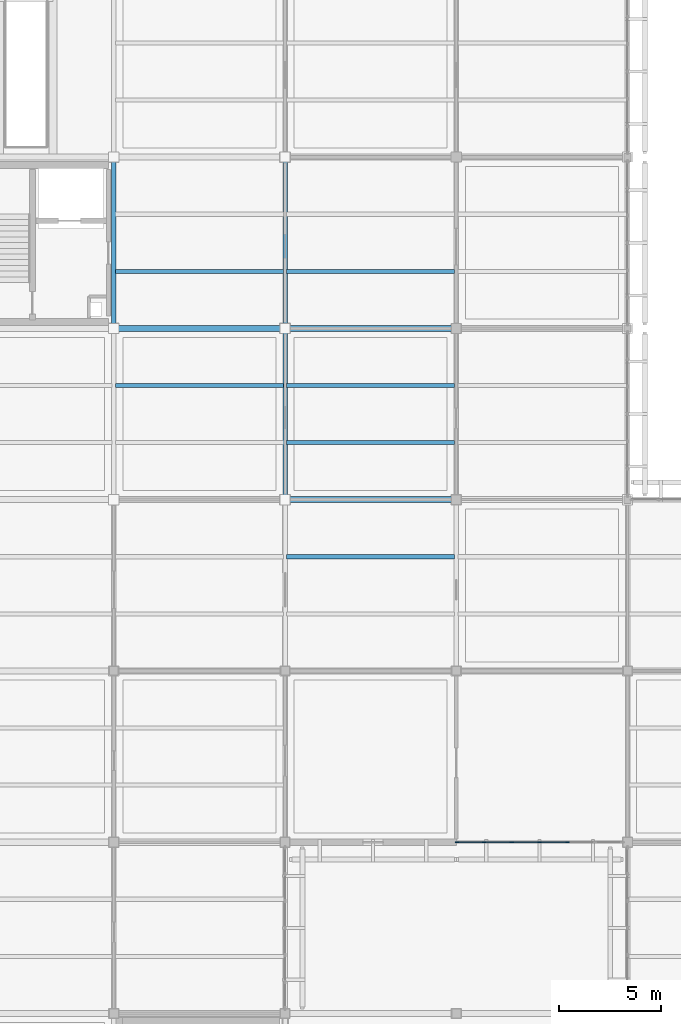
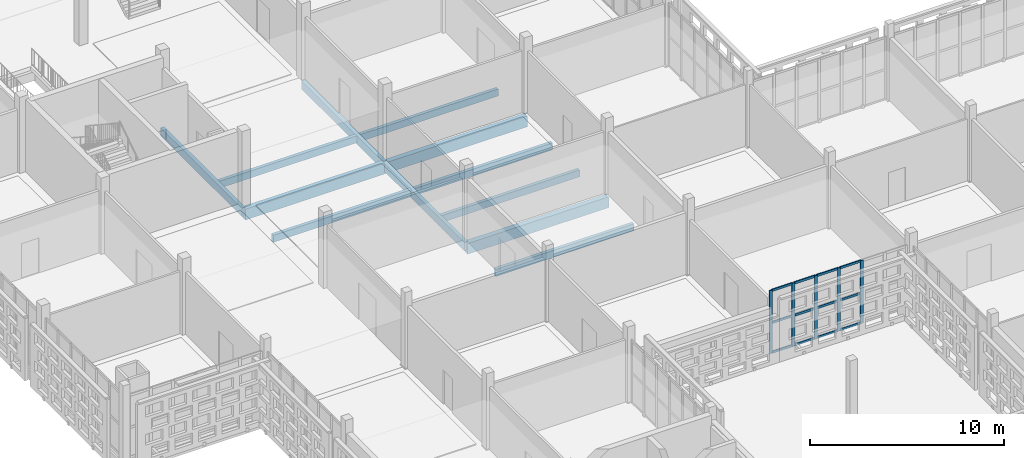
# One storey, part 25 of 203: 17 members, 12 beams, 1 element without a shape of its own.
"""IFC4 building model written with IfcOpenShell, lengths in metres."""

from ifc_helpers import new_model, si_unit, direction, frame, origin, origin_2d, place, context, subcontext, project, spatial, rectangle, extrude, material, layer, layer_set, material_profile, profile_set, type_object, element, aggregate, save


model = new_model("IFC4")

# Units and contexts
model_context = context("Model", 3, precision=1e-05, world=origin(), true_north=direction((0.0, 1.0)))
body_context = subcontext(model_context, "Body", "Model", "MODEL_VIEW")
ifc_project = project(units=[si_unit("LENGTHUNIT", "METRE"), si_unit("AREAUNIT", "SQUARE_METRE"), si_unit("VOLUMEUNIT", "CUBIC_METRE"), si_unit("PLANEANGLEUNIT", "RADIAN"), si_unit("MASSUNIT", "GRAM", prefix="KILO")], contexts=[model_context])

# Site, building, storey
site_placement = place(None, origin())
site = spatial("IfcSite", under=ifc_project, at=site_placement, CompositionType="ELEMENT")
building_placement = place(site_placement, origin())
building = spatial("IfcBuilding", under=site, at=building_placement, Name="Varnapada Polytechnic", CompositionType="ELEMENT")
storey_placement = place(building_placement, frame((0.0, 0.0, 4.800048828125)))
storey = spatial("IfcBuildingStorey", under=building, at=storey_placement, Name="L01", CompositionType="ELEMENT", Elevation=4.800048828125)

# Beams
ifc_material_1 = material(Name="Glulam GL32h", Category="wood")
ifc_material_profile_1 = material_profile(ifc_material_1, rectangle(XDim=0.199951171875, YDim=0.43994140625, at=origin_2d()), Name="GL 200x440")
ifc_profile_set_1 = profile_set([ifc_material_profile_1], Name="Glulam GL32h")
beam_type_1 = type_object("IfcBeamType", Name="Heavy laboratory glulam joist GJ-03 (GL 200x440)", PredefinedType="JOIST", material=ifc_profile_set_1)
for number, where, z_axis, x_axis, name in (
    (1, (16.8798828125, 56.0, -0.469970703125), (1.0, 0.0, 0.0), (0.0, 1.0, 0.0), "L01 floor joist 3/7.2"),
    (2, (16.8798828125, 61.60009765625, -0.469970703125), (1.0, 0.0, 0.0), (0.0, 1.0, 0.0), "L01 floor joist 3/8.1"),
):
    element("IfcBeam", number, at=place(storey_placement, frame(where, z_axis=z_axis, x_axis=x_axis)), inside=storey, type_object=beam_type_1, Name=name, PredefinedType="JOIST", context=body_context, shape_type="SweptSolid", body=[
        extrude(rectangle(XDim=0.199951171875, YDim=0.43994140625, at=origin_2d()), origin(), (0.0, 0.0, 1.0), 8.240234375),
    ])
for number, where, z_axis, x_axis, name in (
    (3, (25.280029296875, 47.60009765625, -0.469970703125), (1.0, 0.0, 0.0), (0.0, 1.0, 0.0), "L01 floor joist 4/6.2"),
    (4, (25.280029296875, 53.199951171875, -0.469970703125), (1.0, 0.0, 0.0), (0.0, 1.0, 0.0), "L01 floor joist 4/7.1"),
    (5, (25.280029296875, 56.0, -0.469970703125), (1.0, 0.0, 0.0), (0.0, 1.0, 0.0), "L01 floor joist 4/7.2"),
    (6, (25.280029296875, 61.60009765625, -0.469970703125), (1.0, 0.0, 0.0), (0.0, 1.0, 0.0), "L01 floor joist 4/8.1"),
):
    element("IfcBeam", number, at=place(storey_placement, frame(where, z_axis=z_axis, x_axis=x_axis)), inside=storey, type_object=beam_type_1, Name=name, PredefinedType="JOIST", context=body_context, shape_type="SweptSolid", body=[
        extrude(rectangle(XDim=0.199951171875, YDim=0.43994140625, at=origin_2d()), origin(), (0.0, 0.0, 1.0), 8.239990234375),
    ])
ifc_material_profile_2 = material_profile(ifc_material_1, rectangle(XDim=0.219970703125, YDim=0.52001953125, at=origin_2d()), Name="GL 220x520")
ifc_profile_set_2 = profile_set([ifc_material_profile_2], Name="Glulam GL32h")
beam_type_2 = type_object("IfcBeamType", Name="Laboratory transverse glulam beam GB-12 (GL 220x520)", PredefinedType="BEAM", material=ifc_profile_set_2)
beam_1_placement = place(storey_placement, frame((16.800048828125, 58.800048828125, -0.510009765625), z_axis=(0.0, 1.0, 0.0), x_axis=(-1.0, 0.0, 0.0)))
element("IfcBeam", 7, at=beam_1_placement, inside=storey, type_object=beam_type_2, Name="L01 beam Y 8-9 at X3", PredefinedType="BEAM", context=body_context, shape_type="SweptSolid", body=[
    extrude(rectangle(XDim=0.219970703125, YDim=0.52001953125, at=origin_2d()), origin(), (0.0, 0.0, 1.0), 8.39990234375),
])
beam_2_placement = place(storey_placement, frame((25.199951171875, 50.39990234375, -0.510009765625), z_axis=(0.0, 1.0, 0.0), x_axis=(-1.0, 0.0, 0.0)))
element("IfcBeam", 8, at=beam_2_placement, inside=storey, type_object=beam_type_2, Name="L01 beam Y 7-8 at X4", PredefinedType="BEAM", context=body_context, shape_type="SweptSolid", body=[
    extrude(rectangle(XDim=0.219970703125, YDim=0.52001953125, at=origin_2d()), origin(), (0.0, 0.0, 1.0), 8.400146484375),
])
beam_3_placement = place(storey_placement, frame((25.199951171875, 58.800048828125, -0.510009765625), z_axis=(0.0, 1.0, 0.0), x_axis=(-1.0, 0.0, 0.0)))
element("IfcBeam", 9, at=beam_3_placement, inside=storey, type_object=beam_type_2, Name="L01 beam Y 8-9 at X4", PredefinedType="BEAM", context=body_context, shape_type="SweptSolid", body=[
    extrude(rectangle(XDim=0.219970703125, YDim=0.52001953125, at=origin_2d()), origin(), (0.0, 0.0, 1.0), 8.39990234375),
])

# Curtain wall, members
ifc_material_2 = material(Name="Double low-E laminated glass", Category="glass")
ifc_layer = layer(ifc_material_2, 0.179931640625)
ifc_layer_set = layer_set([ifc_layer], Name="Double low-E laminated glass")
curtain_wall_type = type_object("IfcCurtainWallType", Name="Curtain Wall CW-03", PredefinedType="NOTDEFINED", material=ifc_layer_set)
curtain_wall_placement = place(storey_placement, origin())
curtain_wall = element("IfcCurtainWall", 10, at=curtain_wall_placement, inside=storey, type_object=curtain_wall_type, Name="L01 unitised curtain wall CW-03 (36)", PredefinedType="NOTDEFINED")
ifc_material_3 = material(Name="Anodised aluminium", Category="aluminium")
ifc_material_profile_3 = material_profile(ifc_material_3, rectangle(XDim=0.06494140625, YDim=0.179931640625, at=origin_2d()), Name="ALU M65x180")
ifc_profile_set_3 = profile_set([ifc_material_profile_3], Name="Anodised aluminium")
member_type_1 = type_object("IfcMemberType", Name="Mullion M-02", PredefinedType="MULLION", material=ifc_profile_set_3)
member_1_placement = place(storey_placement, frame((39.046630859375, 33.60009765625, 0.0), z_axis=(0.0, 0.0, 1.0), x_axis=(0.0, -1.0, 0.0)))
member_1 = element("IfcMember", 11, at=member_1_placement, type_object=member_type_1, Name="CW-03 mullion 3", PredefinedType="MULLION", context=body_context, shape_type="SweptSolid", body=[
    extrude(rectangle(XDim=0.06494140625, YDim=0.179931640625, at=origin_2d()), origin(), (0.0, 0.0, 1.0), 3.9599609375),
])
member_2_placement = place(storey_placement, frame((37.68505859375, 33.60009765625, 0.0), z_axis=(0.0, 0.0, 1.0), x_axis=(0.0, -1.0, 0.0)))
member_2 = element("IfcMember", 12, at=member_2_placement, type_object=member_type_1, Name="CW-03 mullion 4", PredefinedType="MULLION", context=body_context, shape_type="SweptSolid", body=[
    extrude(rectangle(XDim=0.06494140625, YDim=0.179931640625, at=origin_2d()), origin(), (0.0, 0.0, 1.0), 3.9599609375),
])
member_3_placement = place(storey_placement, frame((36.3232421875, 33.60009765625, 0.0), z_axis=(0.0, 0.0, 1.0), x_axis=(0.0, -1.0, 0.0)))
member_3 = element("IfcMember", 13, at=member_3_placement, type_object=member_type_1, Name="CW-03 mullion 5", PredefinedType="MULLION", context=body_context, shape_type="SweptSolid", body=[
    extrude(rectangle(XDim=0.06494140625, YDim=0.179931640625, at=origin_2d()), origin(), (0.0, 0.0, 1.0), 3.9599609375),
])
member_4_placement = place(storey_placement, frame((34.961669921875, 33.60009765625, 0.0), z_axis=(0.0, 0.0, 1.0), x_axis=(0.0, -1.0, 0.0)))
member_4 = element("IfcMember", 14, at=member_4_placement, type_object=member_type_1, Name="CW-03 mullion 6", PredefinedType="MULLION", context=body_context, shape_type="SweptSolid", body=[
    extrude(rectangle(XDim=0.06494140625, YDim=0.179931640625, at=origin_2d()), origin(), (0.0, 0.0, 1.0), 3.9599609375),
])
member_5_placement = place(storey_placement, frame((33.632568359375, 33.60009765625, 0.0), z_axis=(0.0, 0.0, 1.0), x_axis=(0.0, -1.0, 0.0)))
member_5 = element("IfcMember", 15, at=member_5_placement, type_object=member_type_1, Name="CW-03 mullion 7", PredefinedType="MULLION", context=body_context, shape_type="SweptSolid", body=[
    extrude(rectangle(XDim=0.06494140625, YDim=0.179931640625, at=origin_2d()), origin(), (0.0, 0.0, 1.0), 3.9599609375),
])
ifc_material_profile_4 = material_profile(ifc_material_3, rectangle(XDim=0.06494140625, YDim=0.139892578125, at=origin_2d()), Name="ALU T65x140")
ifc_profile_set_4 = profile_set([ifc_material_profile_4], Name="Anodised aluminium")
member_type_2 = type_object("IfcMemberType", Name="Transom T-02", PredefinedType="USERDEFINED", material=ifc_profile_set_4)
member_6_placement = place(storey_placement, frame((39.01416015625, 33.60009765625, 0.032470703125), z_axis=(-1.0, 0.0, 0.0), x_axis=(0.0, -1.0, 0.0)))
member_6 = element("IfcMember", 16, at=member_6_placement, type_object=member_type_2, Name="CW-03 transom 3.1", ObjectType="TRANSOM", PredefinedType="USERDEFINED", context=body_context, shape_type="SweptSolid", body=[
    extrude(rectangle(XDim=0.06494140625, YDim=0.139892578125, at=origin_2d()), origin(), (0.0, 0.0, 1.0), 1.296630859375),
])
member_7_placement = place(storey_placement, frame((39.01416015625, 33.60009765625, 1.900634765625), z_axis=(-1.0, 0.0, 0.0), x_axis=(0.0, -1.0, 0.0)))
member_7 = element("IfcMember", 17, at=member_7_placement, type_object=member_type_2, Name="CW-03 transom 3.2", ObjectType="TRANSOM", PredefinedType="USERDEFINED", context=body_context, shape_type="SweptSolid", body=[
    extrude(rectangle(XDim=0.06494140625, YDim=0.139892578125, at=origin_2d()), origin(), (0.0, 0.0, 1.0), 1.296630859375),
])
member_8_placement = place(storey_placement, frame((39.01416015625, 33.60009765625, 3.927490234375), z_axis=(-1.0, 0.0, 0.0), x_axis=(0.0, -1.0, 0.0)))
member_8 = element("IfcMember", 18, at=member_8_placement, type_object=member_type_2, Name="CW-03 transom 3.3", ObjectType="TRANSOM", PredefinedType="USERDEFINED", context=body_context, shape_type="SweptSolid", body=[
    extrude(rectangle(XDim=0.06494140625, YDim=0.139892578125, at=origin_2d()), origin(), (0.0, 0.0, 1.0), 1.296630859375),
])
member_9_placement = place(storey_placement, frame((37.652587890625, 33.60009765625, 0.032470703125), z_axis=(-1.0, 0.0, 0.0), x_axis=(0.0, -1.0, 0.0)))
member_9 = element("IfcMember", 19, at=member_9_placement, type_object=member_type_2, Name="CW-03 transom 4.1", ObjectType="TRANSOM", PredefinedType="USERDEFINED", context=body_context, shape_type="SweptSolid", body=[
    extrude(rectangle(XDim=0.06494140625, YDim=0.139892578125, at=origin_2d()), origin(), (0.0, 0.0, 1.0), 1.296875),
])
member_10_placement = place(storey_placement, frame((37.652587890625, 33.60009765625, 1.900634765625), z_axis=(-1.0, 0.0, 0.0), x_axis=(0.0, -1.0, 0.0)))
member_10 = element("IfcMember", 20, at=member_10_placement, type_object=member_type_2, Name="CW-03 transom 4.2", ObjectType="TRANSOM", PredefinedType="USERDEFINED", context=body_context, shape_type="SweptSolid", body=[
    extrude(rectangle(XDim=0.06494140625, YDim=0.139892578125, at=origin_2d()), origin(), (0.0, 0.0, 1.0), 1.296875),
])
member_11_placement = place(storey_placement, frame((37.652587890625, 33.60009765625, 3.927490234375), z_axis=(-1.0, 0.0, 0.0), x_axis=(0.0, -1.0, 0.0)))
member_11 = element("IfcMember", 21, at=member_11_placement, type_object=member_type_2, Name="CW-03 transom 4.3", ObjectType="TRANSOM", PredefinedType="USERDEFINED", context=body_context, shape_type="SweptSolid", body=[
    extrude(rectangle(XDim=0.06494140625, YDim=0.139892578125, at=origin_2d()), origin(), (0.0, 0.0, 1.0), 1.296875),
])
member_12_placement = place(storey_placement, frame((36.290771484375, 33.60009765625, 0.032470703125), z_axis=(-1.0, 0.0, 0.0), x_axis=(0.0, -1.0, 0.0)))
member_12 = element("IfcMember", 22, at=member_12_placement, type_object=member_type_2, Name="CW-03 transom 5.1", ObjectType="TRANSOM", PredefinedType="USERDEFINED", context=body_context, shape_type="SweptSolid", body=[
    extrude(rectangle(XDim=0.06494140625, YDim=0.139892578125, at=origin_2d()), origin(), (0.0, 0.0, 1.0), 1.296630859375),
])
member_13_placement = place(storey_placement, frame((36.290771484375, 33.60009765625, 1.900634765625), z_axis=(-1.0, 0.0, 0.0), x_axis=(0.0, -1.0, 0.0)))
member_13 = element("IfcMember", 23, at=member_13_placement, type_object=member_type_2, Name="CW-03 transom 5.2", ObjectType="TRANSOM", PredefinedType="USERDEFINED", context=body_context, shape_type="SweptSolid", body=[
    extrude(rectangle(XDim=0.06494140625, YDim=0.139892578125, at=origin_2d()), origin(), (0.0, 0.0, 1.0), 1.296630859375),
])
member_14_placement = place(storey_placement, frame((36.290771484375, 33.60009765625, 3.927490234375), z_axis=(-1.0, 0.0, 0.0), x_axis=(0.0, -1.0, 0.0)))
member_14 = element("IfcMember", 24, at=member_14_placement, type_object=member_type_2, Name="CW-03 transom 5.3", ObjectType="TRANSOM", PredefinedType="USERDEFINED", context=body_context, shape_type="SweptSolid", body=[
    extrude(rectangle(XDim=0.06494140625, YDim=0.139892578125, at=origin_2d()), origin(), (0.0, 0.0, 1.0), 1.296630859375),
])
member_15_placement = place(storey_placement, frame((34.92919921875, 33.60009765625, 0.032470703125), z_axis=(-1.0, 0.0, 0.0), x_axis=(0.0, -1.0, 0.0)))
member_15 = element("IfcMember", 25, at=member_15_placement, type_object=member_type_2, Name="CW-03 transom 6.1", ObjectType="TRANSOM", PredefinedType="USERDEFINED", context=body_context, shape_type="SweptSolid", body=[
    extrude(rectangle(XDim=0.06494140625, YDim=0.139892578125, at=origin_2d()), origin(), (0.0, 0.0, 1.0), 1.26416015625),
])
member_16_placement = place(storey_placement, frame((34.92919921875, 33.60009765625, 1.900634765625), z_axis=(-1.0, 0.0, 0.0), x_axis=(0.0, -1.0, 0.0)))
member_16 = element("IfcMember", 26, at=member_16_placement, type_object=member_type_2, Name="CW-03 transom 6.2", ObjectType="TRANSOM", PredefinedType="USERDEFINED", context=body_context, shape_type="SweptSolid", body=[
    extrude(rectangle(XDim=0.06494140625, YDim=0.139892578125, at=origin_2d()), origin(), (0.0, 0.0, 1.0), 1.26416015625),
])
member_17_placement = place(storey_placement, frame((34.92919921875, 33.60009765625, 3.927490234375), z_axis=(-1.0, 0.0, 0.0), x_axis=(0.0, -1.0, 0.0)))
member_17 = element("IfcMember", 27, at=member_17_placement, type_object=member_type_2, Name="CW-03 transom 6.3", ObjectType="TRANSOM", PredefinedType="USERDEFINED", context=body_context, shape_type="SweptSolid", body=[
    extrude(rectangle(XDim=0.06494140625, YDim=0.139892578125, at=origin_2d()), origin(), (0.0, 0.0, 1.0), 1.26416015625),
])
aggregate(curtain_wall, [member_1, member_2, member_3, member_4, member_5, member_6, member_7, member_8, member_9, member_10, member_11, member_12, member_13, member_14, member_15, member_16, member_17])

# Beams
ifc_material_profile_5 = material_profile(ifc_material_1, rectangle(XDim=0.300048828125, YDim=0.679931640625, at=origin_2d()), Name="GL 300x680")
ifc_profile_set_5 = profile_set([ifc_material_profile_5], Name="Glulam GL32h")
beam_type_3 = type_object("IfcBeamType", Name="Wet laboratory glulam girder GG-04 (GL 300x680)", PredefinedType="BEAM", material=ifc_profile_set_5)
beam_4_placement = place(storey_placement, frame((16.800048828125, 58.800048828125, -0.590087890625), z_axis=(1.0, 0.0, 0.0), x_axis=(0.0, 1.0, 0.0)))
element("IfcBeam", 28, at=beam_4_placement, inside=storey, type_object=beam_type_3, Name="L01 beam X 3-4 at Y8", PredefinedType="BEAM", context=body_context, shape_type="SweptSolid", body=[
    extrude(rectangle(XDim=0.300048828125, YDim=0.679931640625, at=origin_2d()), origin(), (0.0, 0.0, 1.0), 8.39990234375),
])
for number, where, z_axis, x_axis, name in (
    (29, (25.199951171875, 50.39990234375, -0.590087890625), (1.0, 0.0, 0.0), (0.0, 1.0, 0.0), "L01 beam X 4-5 at Y7"),
    (30, (25.199951171875, 58.800048828125, -0.590087890625), (1.0, 0.0, 0.0), (0.0, 1.0, 0.0), "L01 beam X 4-5 at Y8"),
):
    element("IfcBeam", number, at=place(storey_placement, frame(where, z_axis=z_axis, x_axis=x_axis)), inside=storey, type_object=beam_type_3, Name=name, PredefinedType="BEAM", context=body_context, shape_type="SweptSolid", body=[
        extrude(rectangle(XDim=0.300048828125, YDim=0.679931640625, at=origin_2d()), origin(), (0.0, 0.0, 1.0), 8.400146484375),
    ])

save(model, "model.ifc")
